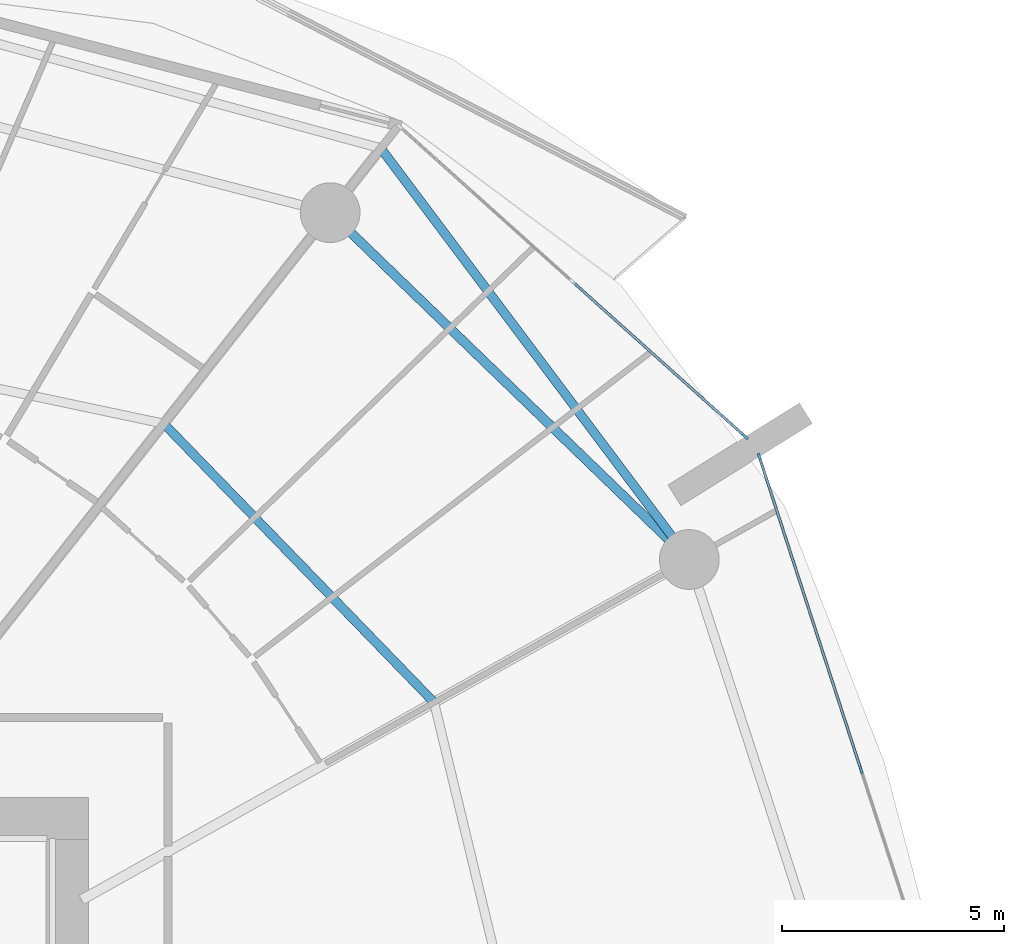
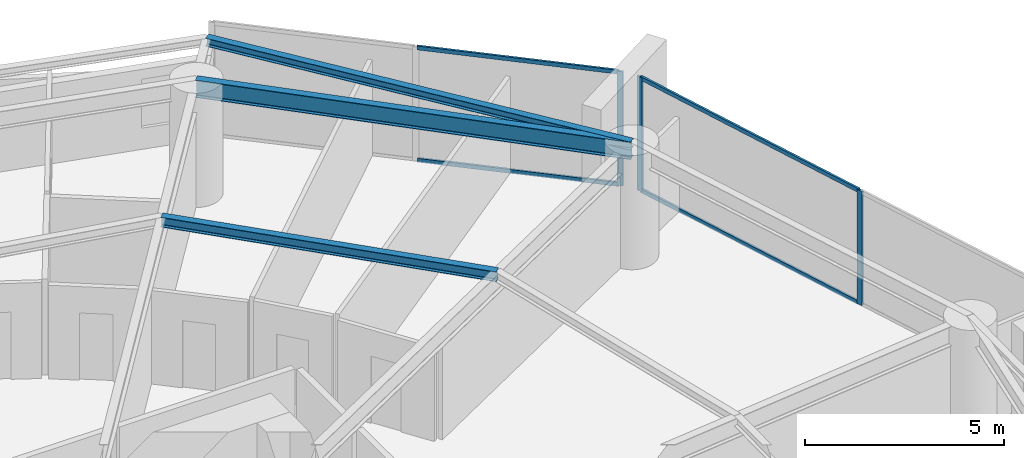
# One storey, part 15 of 31: 7 members, 3 beams, 2 elements without a shape of their own.
"""IFC4 building model written with IfcOpenShell, lengths in metres."""

from ifc_helpers import new_model, si_unit, direction, frame, origin, origin_2d, place, context, subcontext, project, spatial, rectangle, i_section, extrude, material, layer, layer_set, material_profile, profile_set, type_object, element, aggregate, save


model = new_model("IFC4")

# Units and contexts
model_context = context("Model", 3, precision=1e-05, world=origin(), true_north=direction((0.0, 1.0)))
body_context = subcontext(model_context, "Body", "Model", "MODEL_VIEW")
ifc_project = project(units=[si_unit("LENGTHUNIT", "METRE"), si_unit("AREAUNIT", "SQUARE_METRE"), si_unit("VOLUMEUNIT", "CUBIC_METRE"), si_unit("PLANEANGLEUNIT", "RADIAN"), si_unit("MASSUNIT", "GRAM", prefix="KILO")], contexts=[model_context])

# Site, building, storey
site_placement = place(None, origin())
site = spatial("IfcSite", under=ifc_project, at=site_placement, CompositionType="ELEMENT")
building_placement = place(site_placement, origin())
building = spatial("IfcBuilding", under=site, at=building_placement, Name="Kazma Halo Residences", CompositionType="ELEMENT")
storey_placement = place(building_placement, frame((0.0, 0.0, 52.64990234375)))
storey = spatial("IfcBuildingStorey", under=building, at=storey_placement, Name="L12", CompositionType="ELEMENT", Elevation=52.64990234375)

# Beams
ifc_material_1 = material(Name="Steel S355", Category="steel")
ifc_material_profile_1 = material_profile(ifc_material_1, i_section(OverallWidth=0.201904296875, OverallDepth=0.2470703125, WebThickness=0.00732421875, FlangeThickness=0.010986328125, FilletRadius=0.011962890625, at=origin_2d()), Name="W250x49.1")
ifc_profile_set_1 = profile_set([ifc_material_profile_1], Name="Steel S355")
beam_type_1 = type_object("IfcBeamType", Name="BM-BAL-CANT", PredefinedType="BEAM", material=ifc_profile_set_1)
beam_1_placement = place(storey_placement, frame((73.56494140625, 56.317138671875, 3.376708984375), z_axis=(-0.600026935007, 0.799979798037, 0.0), x_axis=(-0.799979798037, -0.600026935007, 0.0)))
element("IfcBeam", 1, at=beam_1_placement, inside=storey, type_object=beam_type_1, Name="L12 wave-balcony lead tie beam 01", PredefinedType="BEAM", context=body_context, shape_type="SweptSolid", body=[
    extrude(i_section(OverallWidth=0.201904296875, OverallDepth=0.2470703125, WebThickness=0.00732421875, FlangeThickness=0.010986328125, FilletRadius=0.011962890625, at=origin_2d()), origin(), (0.0, 0.0, 1.0), 11.601806640625),
])
ifc_material_profile_2 = material_profile(ifc_material_1, i_section(OverallWidth=0.202880859375, OverallDepth=0.302978515625, WebThickness=0.007568359375, FlangeThickness=0.01318359375, FilletRadius=0.013916015625, at=origin_2d()), Name="W310x60")
ifc_profile_set_2 = profile_set([ifc_material_profile_2], Name="Steel S355")
beam_type_2 = type_object("IfcBeamType", Name="BM-SEC-W310A", PredefinedType="JOIST", material=ifc_profile_set_2)
beam_2_placement = place(storey_placement, frame((67.8046875, 53.09130859375, 3.3486328125), z_axis=(-0.696130608567, 0.717915159205, 0.0), x_axis=(-0.717915159205, -0.696130608567, 0.0)))
element("IfcBeam", 2, at=beam_2_placement, inside=storey, type_object=beam_type_2, Name="L12 circumferential floor joist 01", PredefinedType="JOIST", context=body_context, shape_type="SweptSolid", body=[
    extrude(i_section(OverallWidth=0.202880859375, OverallDepth=0.302978515625, WebThickness=0.007568359375, FlangeThickness=0.01318359375, FilletRadius=0.013916015625, at=origin_2d()), origin(), (0.0, 0.0, 1.0), 8.763916015625),
])
ifc_material_profile_3 = material_profile(ifc_material_1, i_section(OverallWidth=0.208984375, OverallDepth=0.532958984375, WebThickness=0.01025390625, FlangeThickness=0.015625, FilletRadius=0.01611328125, at=origin_2d()), Name="W530x92")
ifc_profile_set_3 = profile_set([ifc_material_profile_3], Name="Steel S355")
beam_type_3 = type_object("IfcBeamType", Name="BM-SPN-W530", PredefinedType="BEAM", material=ifc_profile_set_3)
beam_3_placement = place(storey_placement, frame((73.56494140625, 56.317138671875, 3.233642578125), z_axis=(-0.719336506967, 0.694661780829, 0.0), x_axis=(-0.694661780829, -0.719336506967, 0.0)))
element("IfcBeam", 3, at=beam_3_placement, inside=storey, type_object=beam_type_3, Name="L12 perimeter ring beam 01", PredefinedType="BEAM", context=body_context, shape_type="SweptSolid", body=[
    extrude(i_section(OverallWidth=0.208984375, OverallDepth=0.532958984375, WebThickness=0.01025390625, FlangeThickness=0.015625, FilletRadius=0.01611328125, at=origin_2d()), origin(), (0.0, 0.0, 1.0), 11.269775390625),
])

# Curtain wall, member
ifc_material_2 = material(Name="Aluminium AW-6063 T6 and Triple-Silver Low-E Glass", Category="aluminium")
ifc_layer = layer(ifc_material_2, 0.159912109375)
ifc_layer_set = layer_set([ifc_layer], Name="Aluminium AW-6063 T6 and Triple-Silver Low-E Glass")
curtain_wall_type = type_object("IfcCurtainWallType", Name="CW-SYS-2", PredefinedType="NOTDEFINED", material=ifc_layer_set)
curtain_wall_1_placement = place(storey_placement, origin())
curtain_wall_1 = element("IfcCurtainWall", 4, at=curtain_wall_1_placement, inside=storey, type_object=curtain_wall_type, Name="L12 unitised curtain wall B01", PredefinedType="NOTDEFINED")
ifc_material_3 = material(Name="Aluminium AW-6063 T6", Category="aluminium")
ifc_material_profile_4 = material_profile(ifc_material_3, rectangle(XDim=0.06005859375, YDim=0.159912109375, at=origin_2d()), Name="CWM-60x160")
ifc_profile_set_4 = profile_set([ifc_material_profile_4], Name="Aluminium AW-6063 T6")
member_type_1 = type_object("IfcMemberType", Name="CW-SYS-2-MUL", PredefinedType="MULLION", material=ifc_profile_set_4)
member_1_placement = place(storey_placement, frame((74.82666015625, 59.091796875, 0.0), z_axis=(0.0, 0.0, 1.0), x_axis=(-0.667821453854, -0.744321506993, 0.0)))
member_1 = element("IfcMember", 5, at=member_1_placement, type_object=member_type_1, Name="CWS-2 mullion 1", PredefinedType="MULLION", context=body_context, shape_type="SweptSolid", body=[
    extrude(rectangle(XDim=0.06005859375, YDim=0.159912109375, at=origin_2d()), origin(), (0.0, 0.0, 1.0), 3.5),
])

# Curtain wall, members
curtain_wall_2_placement = place(storey_placement, origin())
curtain_wall_2 = element("IfcCurtainWall", 6, at=curtain_wall_2_placement, inside=storey, type_object=curtain_wall_type, Name="L12 unitised curtain wall B16", PredefinedType="NOTDEFINED")
member_2_placement = place(storey_placement, frame((77.44189453125, 51.56640625, 0.0), z_axis=(0.0, 0.0, 1.0), x_axis=(-0.95105652404, -0.309016970539, 0.0)))
member_2 = element("IfcMember", 7, at=member_2_placement, type_object=member_type_1, Name="CWS-2 mullion 2", PredefinedType="MULLION", context=body_context, shape_type="SweptSolid", body=[
    extrude(rectangle(XDim=0.06005859375, YDim=0.159912109375, at=origin_2d()), origin(), (0.0, 0.0, 1.0), 3.5),
])
member_3_placement = place(storey_placement, frame((75.145751953125, 58.63330078125, 0.0), z_axis=(0.0, 0.0, 1.0), x_axis=(-0.95105652404, -0.309016970539, 0.0)))
member_3 = element("IfcMember", 8, at=member_3_placement, type_object=member_type_1, Name="CWS-2 mullion 3", PredefinedType="MULLION", context=body_context, shape_type="SweptSolid", body=[
    extrude(rectangle(XDim=0.06005859375, YDim=0.159912109375, at=origin_2d()), origin(), (0.0, 0.0, 1.0), 3.5),
])

# Member
ifc_material_profile_5 = material_profile(ifc_material_3, rectangle(XDim=0.06005859375, YDim=0.1201171875, at=origin_2d()), Name="CWT-60x120")
ifc_profile_set_5 = profile_set([ifc_material_profile_5], Name="Aluminium AW-6063 T6")
member_type_2 = type_object("IfcMemberType", Name="CW-SYS-2-TRN", PredefinedType="USERDEFINED", material=ifc_profile_set_5)
member_4_placement = place(storey_placement, frame((74.80419921875, 59.11181640625, 0.030029296875), z_axis=(-0.744329408538, 0.66781264707, 0.0), x_axis=(-0.66781264707, -0.744329408538, 0.0)))
member_4 = element("IfcMember", 9, at=member_4_placement, type_object=member_type_2, Name="CWS-2 transom 1.1", ObjectType="TRANSOM", PredefinedType="USERDEFINED", context=body_context, shape_type="SweptSolid", body=[
    extrude(rectangle(XDim=0.06005859375, YDim=0.1201171875, at=origin_2d()), origin(), (0.0, 0.0, 1.0), 5.178466796875),
])

member_5_placement = place(storey_placement, frame((74.80419921875, 59.11181640625, 3.47021484375), z_axis=(-0.744329408538, 0.66781264707, 0.0), x_axis=(-0.66781264707, -0.744329408538, 0.0)))
member_5 = element("IfcMember", 10, at=member_5_placement, type_object=member_type_2, Name="CWS-2 transom 1.2", ObjectType="TRANSOM", PredefinedType="USERDEFINED", context=body_context, shape_type="SweptSolid", body=[
    extrude(rectangle(XDim=0.06005859375, YDim=0.1201171875, at=origin_2d()), origin(), (0.0, 0.0, 1.0), 5.178466796875),
])

aggregate(curtain_wall_1, [member_1, member_4, member_5])

member_6_placement = place(storey_placement, frame((77.4326171875, 51.5947265625, 0.030029296875), z_axis=(-0.309004433966, 0.951060597328, 0.0), x_axis=(-0.951060597328, -0.309004433966, 0.0)))
member_6 = element("IfcMember", 11, at=member_6_placement, type_object=member_type_2, Name="CWS-2 transom 2.1", ObjectType="TRANSOM", PredefinedType="USERDEFINED", context=body_context, shape_type="SweptSolid", body=[
    extrude(rectangle(XDim=0.06005859375, YDim=0.1201171875, at=origin_2d()), origin(), (0.0, 0.0, 1.0), 7.370849609375),
])

member_7_placement = place(storey_placement, frame((77.4326171875, 51.5947265625, 3.47021484375), z_axis=(-0.309004433966, 0.951060597328, 0.0), x_axis=(-0.951060597328, -0.309004433966, 0.0)))
member_7 = element("IfcMember", 12, at=member_7_placement, type_object=member_type_2, Name="CWS-2 transom 2.2", ObjectType="TRANSOM", PredefinedType="USERDEFINED", context=body_context, shape_type="SweptSolid", body=[
    extrude(rectangle(XDim=0.06005859375, YDim=0.1201171875, at=origin_2d()), origin(), (0.0, 0.0, 1.0), 7.370849609375),
])

aggregate(curtain_wall_2, [member_2, member_3, member_6, member_7])

save(model, "model.ifc")
